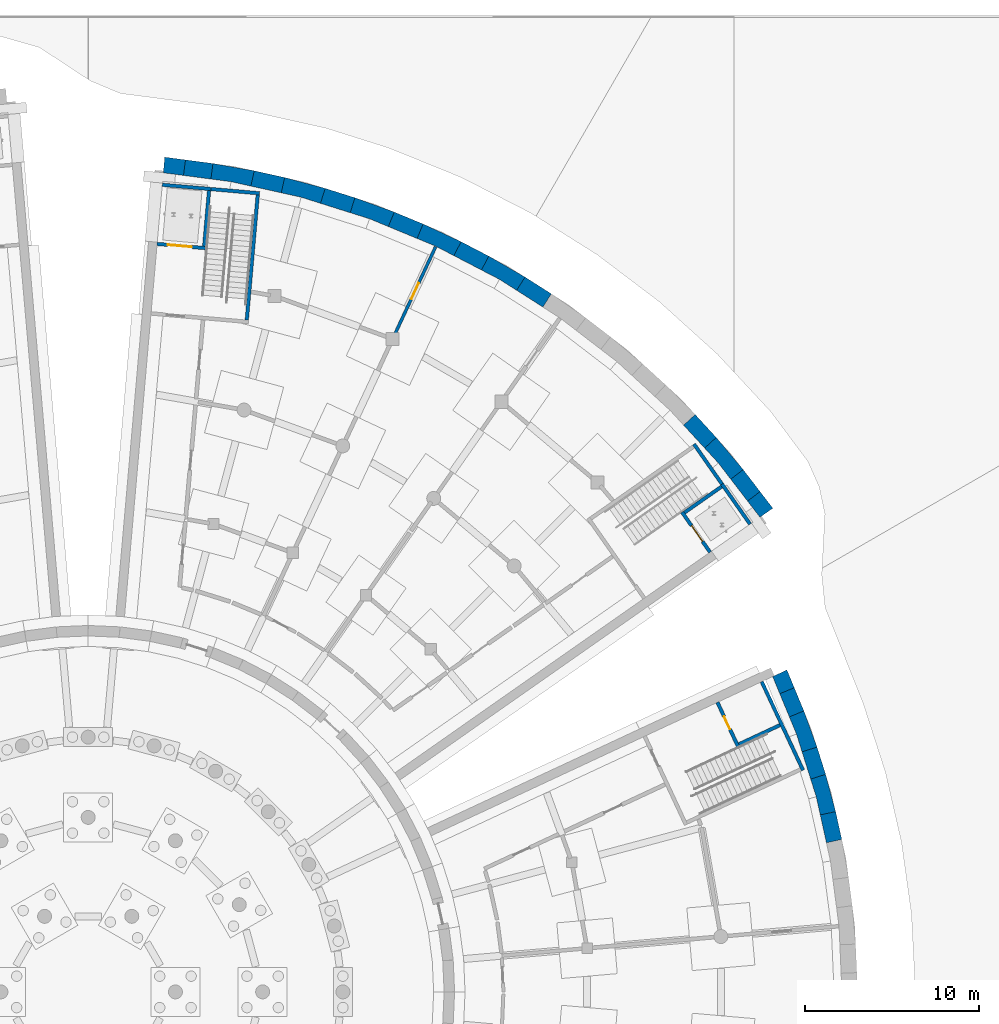
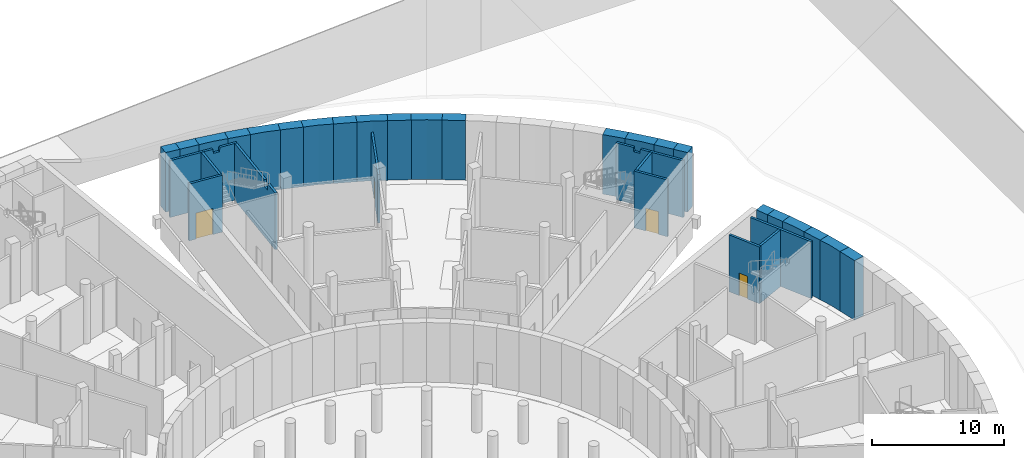
# One storey, part 48 of 65: 35 walls, 4 doors, 4 openings.
"""IFC4 building model written with IfcOpenShell, lengths in metres."""

from ifc_helpers import new_model, si_unit, direction, frame, frame_2d, origin, place, context, subcontext, project, spatial, polyline, rectangle, outline, extrude, material, layer, layer_set, type_object, element, fill, save


model = new_model("IFC4")

# Units and contexts
model_context = context("Model", 3, precision=1e-05, world=origin(), true_north=direction((0.0, 1.0)))
body_context = subcontext(model_context, "Body", "Model", "MODEL_VIEW")
ifc_project = project(units=[si_unit("LENGTHUNIT", "METRE"), si_unit("AREAUNIT", "SQUARE_METRE"), si_unit("VOLUMEUNIT", "CUBIC_METRE"), si_unit("PLANEANGLEUNIT", "RADIAN"), si_unit("MASSUNIT", "GRAM", prefix="KILO")], contexts=[model_context])

# Site, building, storey
site_placement = place(None, origin())
site = spatial("IfcSite", under=ifc_project, at=site_placement, CompositionType="ELEMENT")
building_placement = place(site_placement, origin())
building = spatial("IfcBuilding", under=site, at=building_placement, Name="Volute Hill Aquarium", CompositionType="ELEMENT")
storey_placement = place(building_placement, frame((0.0, 0.0, -5.5)))
storey = spatial("IfcBuildingStorey", under=building, at=storey_placement, Name="L00", CompositionType="ELEMENT", Elevation=-5.5)

# Walls
ifc_material_1 = material(Name="Concrete C30/37", Category="concrete")
ifc_layer_1 = layer(ifc_material_1, 0.199951171875)
ifc_layer_set_1 = layer_set([ifc_layer_1], Name="Core wall 200 REI 60")
wall_type_1 = type_object("IfcWallType", Name="Core wall 200 REI 60", PredefinedType="SHEAR", material=ifc_layer_set_1)
wall_1_placement = place(storey_placement, frame((38.6025390625, 17.780029296875, 0.0), z_axis=(0.0, 0.0, 1.0), x_axis=(0.422615758486, -0.906308954319, 0.0)))
element("IfcWall", 1, at=wall_1_placement, inside=storey, type_object=wall_type_1, Name="wc/S4-B/L00/out", PredefinedType="SHEAR", context=body_context, shape_type="SweptSolid", body=[
    extrude(rectangle(XDim=5.60009765625, YDim=0.199951171875, at=frame_2d((2.800048828125, 0.0))), origin(), (0.0, 0.0, 1.0), 5.25),
])
wall_2_placement = place(storey_placement, frame((36.328857421875, 29.10009765625, 0.0), z_axis=(0.0, 0.0, 1.0), x_axis=(-0.573550118428, 0.819170471667, 0.0)))
element("IfcWall", 2, at=wall_2_placement, inside=storey, type_object=wall_type_1, Name="wc/S5-A/L00/out-b", PredefinedType="SHEAR", context=body_context, shape_type="SweptSolid", body=[
    extrude(outline(polyline([(0.0, 0.0), (2.800048828125, 0.0), (2.800048828125, 5.25), (1.37255859375, 5.25), (1.322509765625, 4.860107421875), (0.822509765625, 4.860107421875), (0.7724609375, 5.25), (0.0, 5.25), (0.0, 0.0)])), frame((0.0, 0.10009765625, 0.0), z_axis=(0.0, -1.0, 0.0), x_axis=(1.0, 0.0, 0.0)), (0.0, 0.0, 1.0), 0.199951171875),
])
wall_3_placement = place(storey_placement, frame((9.090576171875, 38.504150390625, 0.0), z_axis=(0.0, 0.0, 1.0), x_axis=(0.087144656612, 0.996195667941, 0.0)))
element("IfcWall", 3, at=wall_3_placement, inside=storey, type_object=wall_type_1, Name="wc/S5-B/L00/side", PredefinedType="SHEAR", context=body_context, shape_type="SweptSolid", body=[
    extrude(outline(polyline([(0.0, 0.0), (7.199951171875, 0.0), (7.199951171875, 5.25), (1.93017578125, 5.25), (1.880126953125, 4.659912109375), (1.380126953125, 4.659912109375), (1.330078125, 5.25), (0.0, 5.25), (0.0, 0.0)])), frame((0.0, 0.10009765625, 0.0), z_axis=(0.0, -1.0, 0.0), x_axis=(1.0, 0.0, 0.0)), (0.0, 0.0, 1.0), 0.199951171875),
])
wall_4_placement = place(storey_placement, frame((7.037109375, 46.01171875, 0.0), z_axis=(0.0, 0.0, 1.0), x_axis=(0.996191351034, -0.087193991338, 0.0)))
element("IfcWall", 4, at=wall_4_placement, inside=storey, type_object=wall_type_1, Name="wc/S5-B/L00/out-b", PredefinedType="SHEAR", context=body_context, shape_type="SweptSolid", body=[
    extrude(outline(polyline([(0.0, 0.0), (2.800048828125, 0.0), (2.800048828125, 5.25), (1.37255859375, 5.25), (1.322509765625, 4.860107421875), (0.822509765625, 4.860107421875), (0.772705078125, 5.25), (0.0, 5.25), (0.0, 0.0)])), frame((0.0, 0.10009765625, 0.0), z_axis=(0.0, -1.0, 0.0), x_axis=(1.0, 0.0, 0.0)), (0.0, 0.0, 1.0), 0.199951171875),
])

# Wall, opening, door
ifc_material_2 = material(Name="Gypsum board on steel studs", Category="steel")
ifc_layer_2 = layer(ifc_material_2, 0.175048828125)
ifc_layer_set_2 = layer_set([ifc_layer_2], Name="Corridor partition 175 EI 60")
wall_type_2 = type_object("IfcWallType", Name="Corridor partition 175 EI 60", PredefinedType="PARTITIONING", material=ifc_layer_set_2)
wall_5_placement = place(storey_placement, frame((19.913818359375, 42.705078125, 0.0), z_axis=(0.0, 0.0, 1.0), x_axis=(-0.422617785161, -0.906308009269, 0.0)))
wall_5 = element("IfcWall", 5, at=wall_5_placement, inside=storey, type_object=wall_type_2, Name="pw/S5/L00/007", PredefinedType="PARTITIONING", context=body_context, shape_type="SweptSolid", body=[
    extrude(rectangle(XDim=5.592529296875, YDim=0.175048828125, at=frame_2d((2.79638671875, 0.0))), origin(), (0.0, 0.0, 1.0), 4.489990234375),
])
opening_1_placement = place(wall_5_placement, frame((2.29638671875, 0.0, 0.0)))
opening_1 = element("IfcOpeningElement", 6, at=opening_1_placement, cuts=wall_5, Name="Opening D5.00.09", PredefinedType="OPENING", context=body_context, shape_type="SweptSolid", body=[
    extrude(rectangle(XDim=1.0, YDim=2.10009765625, at=frame_2d((0.5, 1.050048828125))), frame((0.0, 0.097412109375, 0.0), z_axis=(0.0, -1.0, 0.0), x_axis=(1.0, 0.0, 0.0)), (0.0, 0.0, 1.0), 0.195068359375),
])
ifc_material_3 = material(Name="Timber, fire-rated", Category="wood")
door_type_1 = type_object("IfcDoorType", Name="Door 1000 x 2100 single EI1 30", OperationType="SINGLE_SWING_LEFT", PredefinedType="DOOR", material=ifc_material_3)
door_1_placement = place(opening_1_placement, origin())
door_1 = element("IfcDoor", 7, at=door_1_placement, inside=storey, type_object=door_type_1, Name="d/S5/L00/09", OperationType="SINGLE_SWING_LEFT", OverallHeight=2.10009765625, OverallWidth=1.0, PredefinedType="DOOR", context=body_context, shape_type="SweptSolid", body=[
    extrude(rectangle(XDim=1.0, YDim=2.10009765625, at=frame_2d((0.5, 1.050048828125))), frame((0.0, 0.02490234375, 0.0), z_axis=(0.0, -1.0, 0.0), x_axis=(1.0, 0.0, 0.0)), (0.0, 0.0, 1.0), 0.050048828125),
])
fill(opening_1, door_1)

# Walls
ifc_material_4 = material(Name="Precast concrete C40/50", Category="concrete")
ifc_layer_3 = layer(ifc_material_4, 0.89990234375)
ifc_layer_set_3 = layer_set([ifc_layer_3], Name="Outer pier precast concrete C40/50 900")
wall_type_3 = type_object("IfcWallType", Name="Outer pier precast concrete C40/50 900", PredefinedType="NOTDEFINED", material=ifc_layer_set_3)
wall_6_placement = place(storey_placement, origin())
element("IfcWall", 8, at=wall_6_placement, inside=storey, type_object=wall_type_3, Name="Outer pier OWP S4 L00 9", PredefinedType="NOTDEFINED", context=body_context, shape_type="SweptSolid", body=[
    extrude(outline(polyline([(41.958251953125, 10.140380859375), (42.8369140625, 10.335205078125), (42.265625, 12.4677734375), (41.4072265625, 12.197265625), (41.7275390625, 11.180908203125), (41.958251953125, 10.140380859375)])), origin(), (0.0, 0.0, 1.0), 5.5),
])
wall_7_placement = place(storey_placement, origin())
element("IfcWall", 9, at=wall_7_placement, inside=storey, type_object=wall_type_3, Name="Outer pier OWP S4 L00 10", PredefinedType="NOTDEFINED", context=body_context, shape_type="SweptSolid", body=[
    extrude(outline(polyline([(40.914794921875, 13.7587890625), (41.773193359375, 14.029541015625), (41.01806640625, 16.10400390625), (40.1865234375, 15.759765625), (40.59423828125, 14.775146484375), (40.914794921875, 13.7587890625)])), origin(), (0.0, 0.0, 1.0), 5.5),
])
wall_8_placement = place(storey_placement, origin())
element("IfcWall", 10, at=wall_8_placement, inside=storey, type_object=wall_type_3, Name="Outer pier OWP S4 L00 11", PredefinedType="NOTDEFINED", context=body_context, shape_type="SweptSolid", body=[
    extrude(outline(polyline([(39.636474609375, 17.08740234375), (40.468017578125, 17.431884765625), (40.045166015625, 18.45263671875), (39.228759765625, 18.072021484375), (39.636474609375, 17.08740234375)])), origin(), (0.0, 0.0, 1.0), 5.5),
])
wall_9_placement = place(storey_placement, origin())
element("IfcWall", 11, at=wall_9_placement, inside=storey, type_object=wall_type_3, Name="Outer pier OWP S5 L00 1", PredefinedType="NOTDEFINED", context=body_context, shape_type="SweptSolid", body=[
    extrude(outline(polyline([(38.500732421875, 27.20263671875), (39.23876953125, 27.719482421875), (38.50634765625, 28.673828125), (37.792236328125, 28.1259765625), (38.500732421875, 27.20263671875)])), origin(), (0.0, 0.0, 1.0), 5.5),
])
wall_10_placement = place(storey_placement, origin())
element("IfcWall", 12, at=wall_10_placement, inside=storey, type_object=wall_type_3, Name="Outer pier OWP S5 L00 2", PredefinedType="NOTDEFINED", context=body_context, shape_type="SweptSolid", body=[
    extrude(outline(polyline([(36.8271484375, 29.3837890625), (37.541259765625, 29.931640625), (35.995849609375, 31.773193359375), (35.332275390625, 31.165283203125), (36.11865234375, 30.30712890625), (36.8271484375, 29.3837890625)])), origin(), (0.0, 0.0, 1.0), 5.5),
])
wall_11_placement = place(storey_placement, origin())
element("IfcWall", 13, at=wall_11_placement, inside=storey, type_object=wall_type_3, Name="Outer pier OWP S5 L00 6", PredefinedType="NOTDEFINED", context=body_context, shape_type="SweptSolid", body=[
    extrude(outline(polyline([(24.556396484375, 40.20751953125), (25.039794921875, 40.966552734375), (22.9580078125, 42.16845703125), (22.54248046875, 41.3701171875), (23.57470703125, 40.832763671875), (24.556396484375, 40.20751953125)])), origin(), (0.0, 0.0, 1.0), 5.5),
])
wall_12_placement = place(storey_placement, origin())
element("IfcWall", 14, at=wall_12_placement, inside=storey, type_object=wall_type_3, Name="Outer pier OWP S5 L00 7", PredefinedType="NOTDEFINED", context=body_context, shape_type="SweptSolid", body=[
    extrude(outline(polyline([(20.95849609375, 42.194580078125), (21.374267578125, 42.992919921875), (19.1953125, 44.009033203125), (18.85107421875, 43.177490234375), (19.92626953125, 42.73193359375), (20.95849609375, 42.194580078125)])), origin(), (0.0, 0.0, 1.0), 5.5),
])
wall_13_placement = place(storey_placement, origin())
element("IfcWall", 15, at=wall_13_placement, inside=storey, type_object=wall_type_3, Name="Outer pier OWP S5 L00 8", PredefinedType="NOTDEFINED", context=body_context, shape_type="SweptSolid", body=[
    extrude(outline(polyline([(17.201416015625, 43.86083984375), (17.545654296875, 44.6923828125), (15.286865234375, 45.514404296875), (15.01611328125, 44.656005859375), (16.126220703125, 44.30615234375), (17.201416015625, 43.86083984375)])), origin(), (0.0, 0.0, 1.0), 5.5),
])
wall_14_placement = place(storey_placement, origin())
element("IfcWall", 16, at=wall_14_placement, inside=storey, type_object=wall_type_3, Name="Outer pier OWP S5 L00 9", PredefinedType="NOTDEFINED", context=body_context, shape_type="SweptSolid", body=[
    extrude(outline(polyline([(13.313232421875, 45.193115234375), (13.583740234375, 46.05126953125), (11.26171875, 46.673583984375), (11.06689453125, 45.794921875), (12.203125, 45.54296875), (13.313232421875, 45.193115234375)])), origin(), (0.0, 0.0, 1.0), 5.5),
])
wall_15_placement = place(storey_placement, origin())
element("IfcWall", 17, at=wall_15_placement, inside=storey, type_object=wall_type_3, Name="Outer pier OWP S5 L00 10", PredefinedType="NOTDEFINED", context=body_context, shape_type="SweptSolid", body=[
    extrude(outline(polyline([(9.32373046875, 46.181396484375), (9.5185546875, 47.06005859375), (7.151123046875, 47.4775390625), (7.03369140625, 46.585205078125), (8.1875, 46.433349609375), (9.32373046875, 46.181396484375)])), origin(), (0.0, 0.0, 1.0), 5.5),
])
wall_16_placement = place(storey_placement, origin())
element("IfcWall", 18, at=wall_16_placement, inside=storey, type_object=wall_type_3, Name="Outer pier OWP S5 L00 11", PredefinedType="NOTDEFINED", context=body_context, shape_type="SweptSolid", body=[
    extrude(outline(polyline([(5.461669921875, 46.7919921875), (5.5791015625, 47.684326171875), (4.38623046875, 47.841552734375), (4.307861328125, 46.944091796875), (5.461669921875, 46.7919921875)])), origin(), (0.0, 0.0, 1.0), 5.5),
])
ifc_material_5 = material(Name="Concrete C40/50", Category="concrete")
ifc_layer_4 = layer(ifc_material_5, 0.89990234375)
ifc_layer_set_4 = layer_set([ifc_layer_4], Name="Plinth wall limestone clad 900")
wall_type_4 = type_object("IfcWallType", Name="Plinth wall limestone clad 900", PredefinedType="NOTDEFINED", material=ifc_layer_set_4)
for number, where, z_axis, x_axis, name in (
    (19, (42.397705078125, 10.23779296875, 0.0), (0.0, 0.0, 1.0), (0.216346291888, -0.976316691441, 0.0), "Plinth wall OWL S4 L00 8"),
    (20, (41.343994140625, 13.894287109375, 0.0), (0.0, 0.0, 1.0), (0.300710362337, -0.953715512081, 0.0), "Plinth wall OWL S4 L00 9"),
):
    element("IfcWall", number, at=place(storey_placement, frame(where, z_axis=z_axis, x_axis=x_axis)), inside=storey, type_object=wall_type_4, Name=name, PredefinedType="NOTDEFINED", context=body_context, shape_type="SweptSolid", body=[
        extrude(rectangle(XDim=1.637451171875, YDim=0.89990234375, at=frame_2d((0.81884765625, 0.0))), origin(), (0.0, 0.0, 1.0), 5.5),
    ])
wall_17_placement = place(storey_placement, frame((40.05224609375, 17.259765625, 0.0), z_axis=(0.0, 0.0, 1.0), x_axis=(0.382696833945, -0.923873981281, 0.0)))
element("IfcWall", 21, at=wall_17_placement, inside=storey, type_object=wall_type_4, Name="Plinth wall OWL S4 L00 10", PredefinedType="NOTDEFINED", context=body_context, shape_type="SweptSolid", body=[
    extrude(rectangle(XDim=1.437255859375, YDim=0.89990234375, at=frame_2d((0.71875, 0.0))), origin(), (0.0, 0.0, 1.0), 5.5),
])
wall_18_placement = place(storey_placement, frame((37.18408203125, 29.65771484375, 0.0), z_axis=(0.0, 0.0, 1.0), x_axis=(0.608735390594, -0.793373319591, 0.0)))
element("IfcWall", 22, at=wall_18_placement, inside=storey, type_object=wall_type_4, Name="Plinth wall OWL S5 L00 1", PredefinedType="NOTDEFINED", context=body_context, shape_type="SweptSolid", body=[
    extrude(rectangle(XDim=1.58544921875, YDim=0.89990234375, at=frame_2d((0.792724609375, 0.0))), origin(), (0.0, 0.0, 1.0), 5.5),
])
for number, where, z_axis, x_axis, name in (
    (23, (34.457763671875, 32.785888671875, 0.0), (0.0, 0.0, 1.0), (0.675532681929, -0.737330045262, 0.0), "Plinth wall OWL S5 L00 2"),
    (24, (24.798095703125, 40.5869140625, 0.0), (0.0, 0.0, 1.0), (0.843357326872, -0.537353160604, 0.0), "Plinth wall OWL S5 L00 5"),
    (25, (21.166259765625, 42.59375, 0.0), (0.0, 0.0, 1.0), (0.88703541594, -0.461701387119, 0.0), "Plinth wall OWL S5 L00 6"),
    (26, (17.37353515625, 44.276611328125, 0.0), (0.0, 0.0, 1.0), (0.923871848136, -0.382701983562, 0.0), "Plinth wall OWL S5 L00 7"),
):
    element("IfcWall", number, at=place(storey_placement, frame(where, z_axis=z_axis, x_axis=x_axis)), inside=storey, type_object=wall_type_4, Name=name, PredefinedType="NOTDEFINED", context=body_context, shape_type="SweptSolid", body=[
        extrude(rectangle(XDim=1.78564453125, YDim=0.89990234375, at=frame_2d((0.892822265625, 0.0))), origin(), (0.0, 0.0, 1.0), 5.5),
    ])
wall_19_placement = place(storey_placement, frame((13.448486328125, 45.622314453125, 0.0), z_axis=(0.0, 0.0, 1.0), x_axis=(0.953698300057, -0.300764945545, 0.0)))
element("IfcWall", 27, at=wall_19_placement, inside=storey, type_object=wall_type_4, Name="Plinth wall OWL S5 L00 8", PredefinedType="NOTDEFINED", context=body_context, shape_type="SweptSolid", body=[
    extrude(rectangle(XDim=1.785888671875, YDim=0.89990234375, at=frame_2d((0.89306640625, 0.0))), origin(), (0.0, 0.0, 1.0), 5.5),
])
wall_20_placement = place(storey_placement, frame((9.421142578125, 46.62060546875, 0.0), z_axis=(0.0, 0.0, 1.0), x_axis=(0.97629311454, -0.216452661109, 0.0)))
element("IfcWall", 28, at=wall_20_placement, inside=storey, type_object=wall_type_4, Name="Plinth wall OWL S5 L00 9", PredefinedType="NOTDEFINED", context=body_context, shape_type="SweptSolid", body=[
    extrude(rectangle(XDim=1.785400390625, YDim=0.89990234375, at=frame_2d((0.892578125, 0.0))), origin(), (0.0, 0.0, 1.0), 5.5),
])
wall_21_placement = place(storey_placement, frame((5.5205078125, 47.23828125, 0.0), z_axis=(0.0, 0.0, 1.0), x_axis=(0.991436464923, -0.130589953752, 0.0)))
element("IfcWall", 29, at=wall_21_placement, inside=storey, type_object=wall_type_4, Name="Plinth wall OWL S5 L00 10", PredefinedType="NOTDEFINED", context=body_context, shape_type="SweptSolid", body=[
    extrude(rectangle(XDim=1.58544921875, YDim=0.89990234375, at=frame_2d((0.792724609375, 0.0))), origin(), (0.0, 0.0, 1.0), 5.5),
])

# Wall, opening, door
ifc_material_6 = material(Name="Masonry blockwork", Category="masonry")
ifc_layer_5 = layer(ifc_material_6, 0.199951171875)
ifc_layer_set_5 = layer_set([ifc_layer_5], Name="Riser wall 200 EI 60")
wall_type_5 = type_object("IfcWallType", Name="Riser wall 200 EI 60", PredefinedType="SOLIDWALL", material=ifc_layer_set_5)
wall_22_placement = place(storey_placement, frame((36.06494140625, 16.5966796875, 0.0), z_axis=(0.0, 0.0, 1.0), x_axis=(0.422632457081, -0.906301167505, 0.0)))
wall_22 = element("IfcWall", 30, at=wall_22_placement, inside=storey, type_object=wall_type_5, Name="wc/S4-B/L00/front", PredefinedType="SOLIDWALL", context=body_context, shape_type="SweptSolid", body=[
    extrude(rectangle(XDim=2.800048828125, YDim=0.199951171875, at=frame_2d((1.39990234375, 0.0))), origin(), (0.0, 0.0, 1.0), 5.25),
])
opening_2_placement = place(wall_22_placement, frame((0.89990234375, 0.0, 0.0)))
opening_2 = element("IfcOpeningElement", 31, at=opening_2_placement, cuts=wall_22, Name="Opening D4.00.BR", PredefinedType="OPENING", context=body_context, shape_type="SweptSolid", body=[
    extrude(rectangle(XDim=0.800048828125, YDim=2.10009765625, at=frame_2d((0.39990234375, 1.050048828125))), frame((0.0, 0.10986328125, 0.0), z_axis=(0.0, -1.0, 0.0), x_axis=(1.0, 0.0, 0.0)), (0.0, 0.0, 1.0), 0.219970703125),
])
ifc_material_7 = material(Name="Steel, fire-rated", Category="steel")
door_type_2 = type_object("IfcDoorType", Name="Door 800 x 2100 riser EI1 30", OperationType="SINGLE_SWING_LEFT", PredefinedType="DOOR", material=ifc_material_7)
door_2_placement = place(opening_2_placement, origin())
door_2 = element("IfcDoor", 32, at=door_2_placement, inside=storey, type_object=door_type_2, Name="d/S4-B/L00/rs", OperationType="SINGLE_SWING_LEFT", OverallHeight=2.10009765625, OverallWidth=0.800048828125, PredefinedType="DOOR", context=body_context, shape_type="SweptSolid", body=[
    extrude(rectangle(XDim=0.800048828125, YDim=2.10009765625, at=frame_2d((0.39990234375, 1.050048828125))), frame((0.0, 0.02490234375, 0.0), z_axis=(0.0, -1.0, 0.0), x_axis=(1.0, 0.0, 0.0)), (0.0, 0.0, 1.0), 0.050048828125),
])
fill(opening_2, door_2)

# Walls
wall_23_placement = place(storey_placement, frame((37.296630859375, 14.19189453125, 0.0), z_axis=(0.0, 0.0, 1.0), x_axis=(0.906300648467, 0.422633570115, 0.0)))
element("IfcWall", 33, at=wall_23_placement, inside=storey, type_object=wall_type_5, Name="wc/S4-B/L00/shaft-side", PredefinedType="SOLIDWALL", context=body_context, shape_type="SweptSolid", body=[
    extrude(rectangle(XDim=2.60009765625, YDim=0.199951171875, at=frame_2d((1.300048828125, 0.0))), origin(), (0.0, 0.0, 1.0), 5.25),
])
ifc_material_8 = material(Name="Concrete C30/37", Category="concrete")
ifc_layer_6 = layer(ifc_material_8, 0.199951171875)
ifc_layer_set_6 = layer_set([ifc_layer_6], Name="Shaft wall 200 EI 60")
wall_type_6 = type_object("IfcWallType", Name="Shaft wall 200 EI 60", PredefinedType="SOLIDWALL", material=ifc_layer_set_6)
wall_24_placement = place(storey_placement, frame((37.934814453125, 26.806396484375, 0.0), z_axis=(0.0, 0.0, 1.0), x_axis=(-0.573550118428, 0.819170471667, 0.0)))
element("IfcWall", 34, at=wall_24_placement, inside=storey, type_object=wall_type_6, Name="wc/S5-A/L00/out-a", PredefinedType="SOLIDWALL", context=body_context, shape_type="SweptSolid", body=[
    extrude(rectangle(XDim=2.800048828125, YDim=0.199951171875, at=frame_2d((1.39990234375, 0.0))), origin(), (0.0, 0.0, 1.0), 5.25),
])

# Wall, opening, door
wall_25_placement = place(storey_placement, frame((35.641357421875, 25.200439453125, 0.0), z_axis=(0.0, 0.0, 1.0), x_axis=(-0.573550118428, 0.819170471667, 0.0)))
wall_25 = element("IfcWall", 35, at=wall_25_placement, inside=storey, type_object=wall_type_6, Name="wc/S5-A/L00/front", PredefinedType="SOLIDWALL", context=body_context, shape_type="SweptSolid", body=[
    extrude(rectangle(XDim=2.800048828125, YDim=0.199951171875, at=frame_2d((1.39990234375, 0.0))), origin(), (0.0, 0.0, 1.0), 5.25),
])
opening_3_placement = place(wall_25_placement, frame((0.75, 0.0, 0.0)))
opening_3 = element("IfcOpeningElement", 36, at=opening_3_placement, cuts=wall_25, Name="Opening LD5.00.A", PredefinedType="OPENING", context=body_context, shape_type="SweptSolid", body=[
    extrude(rectangle(XDim=1.10009765625, YDim=2.10009765625, at=frame_2d((0.550048828125, 1.050048828125))), frame((0.0, 0.10986328125, 0.0), z_axis=(0.0, -1.0, 0.0), x_axis=(1.0, 0.0, 0.0)), (0.0, 0.0, 1.0), 0.219970703125),
])
ifc_material_9 = material(Name="Stainless steel", Category="steel")
door_type_3 = type_object("IfcDoorType", Name="Lift landing door 1100 x 2100", OperationType="SLIDING_TO_LEFT", PredefinedType="DOOR", material=ifc_material_9)
door_3_placement = place(opening_3_placement, origin())
door_3 = element("IfcDoor", 37, at=door_3_placement, inside=storey, type_object=door_type_3, Name="d/S5-A/L00/ld", OperationType="SLIDING_TO_LEFT", OverallHeight=2.10009765625, OverallWidth=1.10009765625, PredefinedType="DOOR", context=body_context, shape_type="SweptSolid", body=[
    extrude(rectangle(XDim=1.10009765625, YDim=2.10009765625, at=frame_2d((0.550048828125, 1.050048828125))), frame((0.0, 0.02490234375, 0.0), z_axis=(0.0, -1.0, 0.0), x_axis=(1.0, 0.0, 0.0)), (0.0, 0.0, 1.0), 0.050048828125),
])
fill(opening_3, door_3)

# Walls
wall_26_placement = place(storey_placement, frame((34.174560546875, 27.469482421875, 0.0), z_axis=(0.0, 0.0, 1.0), x_axis=(0.819148089014, 0.573582085028, 0.0)))
element("IfcWall", 38, at=wall_26_placement, inside=storey, type_object=wall_type_6, Name="wc/S5-A/L00/shaft-side", PredefinedType="SOLIDWALL", context=body_context, shape_type="SweptSolid", body=[
    extrude(rectangle(XDim=2.599853515625, YDim=0.199951171875, at=frame_2d((1.2998046875, 0.0))), origin(), (0.0, 0.0, 1.0), 5.25),
])
wall_27_placement = place(storey_placement, frame((4.24755859375, 46.255859375, 0.0), z_axis=(0.0, 0.0, 1.0), x_axis=(0.996192013865, -0.087186418157, 0.0)))
element("IfcWall", 39, at=wall_27_placement, inside=storey, type_object=wall_type_6, Name="wc/S5-B/L00/out-a", PredefinedType="SOLIDWALL", context=body_context, shape_type="SweptSolid", body=[
    extrude(rectangle(XDim=2.80029296875, YDim=0.199951171875, at=frame_2d((1.400146484375, 0.0))), origin(), (0.0, 0.0, 1.0), 5.25),
])

# Wall, opening, door
wall_28_placement = place(storey_placement, frame((3.951416015625, 42.868896484375, 0.0), z_axis=(0.0, 0.0, 1.0), x_axis=(0.99619068803, -0.087201565829, 0.0)))
wall_28 = element("IfcWall", 40, at=wall_28_placement, inside=storey, type_object=wall_type_6, Name="wc/S5-B/L00/front", PredefinedType="SOLIDWALL", context=body_context, shape_type="SweptSolid", body=[
    extrude(rectangle(XDim=2.7998046875, YDim=0.199951171875, at=frame_2d((1.39990234375, 0.0))), origin(), (0.0, 0.0, 1.0), 5.25),
])
opening_4_placement = place(wall_28_placement, frame((0.60009765625, 0.0, 0.0)))
opening_4 = element("IfcOpeningElement", 41, at=opening_4_placement, cuts=wall_28, Name="Opening LD5.00.B", PredefinedType="OPENING", context=body_context, shape_type="SweptSolid", body=[
    extrude(rectangle(XDim=1.39990234375, YDim=2.39990234375, at=frame_2d((0.699951171875, 1.199951171875))), frame((0.0, 0.10986328125, 0.0), z_axis=(0.0, -1.0, 0.0), x_axis=(1.0, 0.0, 0.0)), (0.0, 0.0, 1.0), 0.219970703125),
])
ifc_material_10 = material(Name="Steel", Category="steel")
door_type_4 = type_object("IfcDoorType", Name="Lift landing door 1400 x 2400 goods", OperationType="SLIDING_TO_LEFT", PredefinedType="DOOR", material=ifc_material_10)
door_4_placement = place(opening_4_placement, origin())
door_4 = element("IfcDoor", 42, at=door_4_placement, inside=storey, type_object=door_type_4, Name="d/S5-B/L00/ld", OperationType="SLIDING_TO_LEFT", OverallHeight=2.39990234375, OverallWidth=1.39990234375, PredefinedType="DOOR", context=body_context, shape_type="SweptSolid", body=[
    extrude(rectangle(XDim=1.39990234375, YDim=2.39990234375, at=frame_2d((0.699951171875, 1.199951171875))), frame((0.0, 0.02490234375, 0.0), z_axis=(0.0, -1.0, 0.0), x_axis=(1.0, 0.0, 0.0)), (0.0, 0.0, 1.0), 0.050048828125),
])
fill(opening_4, door_4)

# Wall
wall_29_placement = place(storey_placement, frame((6.649658203125, 42.73291015625, 0.0), z_axis=(0.0, 0.0, 1.0), x_axis=(0.087199127005, 0.996190901509, 0.0)))
element("IfcWall", 43, at=wall_29_placement, inside=storey, type_object=wall_type_6, Name="wc/S5-B/L00/shaft-side", PredefinedType="SOLIDWALL", context=body_context, shape_type="SweptSolid", body=[
    extrude(rectangle(XDim=3.2001953125, YDim=0.199951171875, at=frame_2d((1.60009765625, 0.0))), origin(), (0.0, 0.0, 1.0), 5.25),
])

save(model, "model.ifc")
